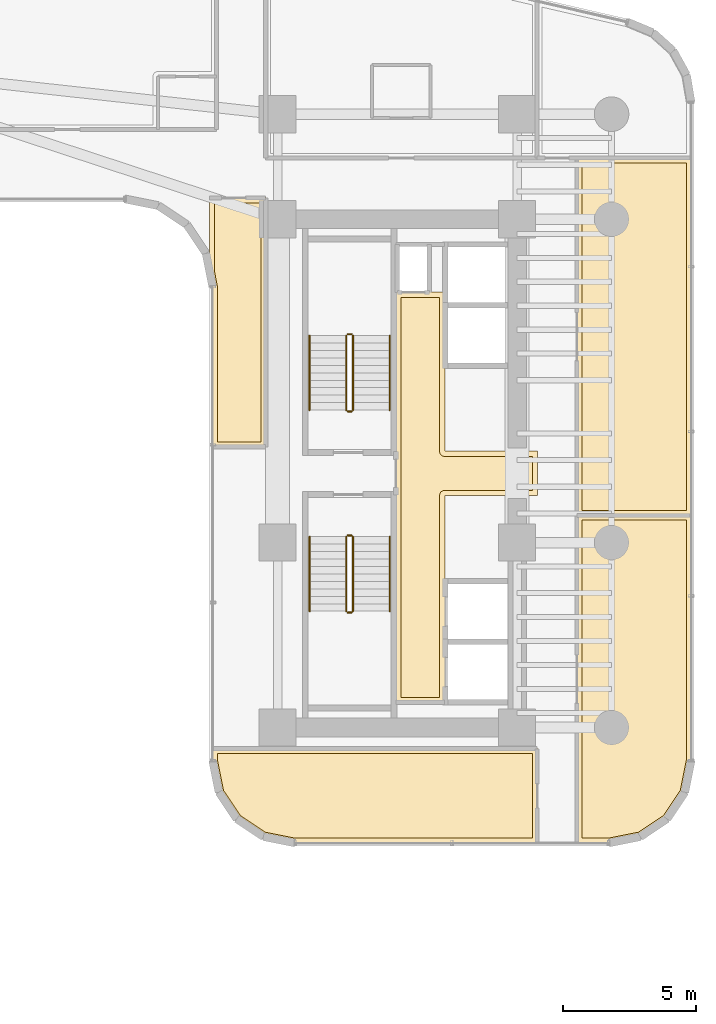
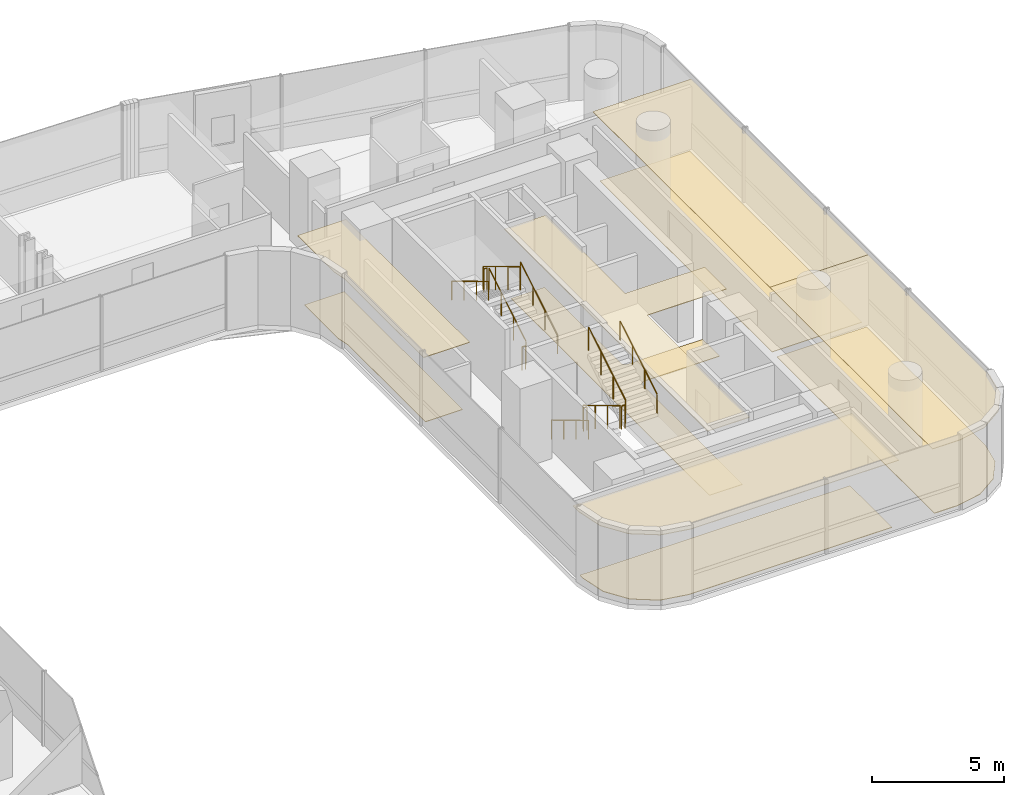
# One storey, part 38 of 40: 12 railings, 10 coverings.
"""IFC4 building model written with IfcOpenShell, lengths in metres."""

import ifcopenshell
import ifcopenshell.guid

model = None  # the IFC model being written
_history = None  # IfcOwnerHistory: only IFC2X3 demands one
_inside = {}  # id of a spatial element -> (the spatial element, [elements in it])
_under = {}  # id of a project, library or spatial element -> (it, [spatial elements below it])
_declared = {}  # id of a project -> (the project, [libraries it declares])
_typed = {}  # id of a type object -> (the type object, [elements of that type])
_made_of = {}  # id of a material, layer set ... -> (it, [elements and type objects made of it])


def new_model(schema):
    """Start an empty IFC model of exactly this schema.

    Asked for "IFC4X3", IfcOpenShell would pick the latest addendum, in which some entities
    have other attributes; the version numbers below select the first issue.
    IFC2X3 requires an IfcOwnerHistory on every rooted entity: one is made here for all.
    """
    global model, _history
    if schema == "IFC4X3":
        model = ifcopenshell.file(schema_version=(4, 3, 0, 0))
    else:
        model = ifcopenshell.file(schema=schema)
    _inside.clear()
    _under.clear()
    _declared.clear()
    _typed.clear()
    _made_of.clear()
    _history = None
    if model.schema == "IFC2X3":
        org = make("IfcOrganization", Name="unknown")
        user = make(
            "IfcPersonAndOrganization",
            ThePerson=make("IfcPerson", FamilyName="unknown"),
            TheOrganization=org,
        )
        app = make(
            "IfcApplication",
            ApplicationDeveloper=org,
            Version="unknown",
            ApplicationFullName="unknown",
            ApplicationIdentifier="unknown",
        )
        _history = make(
            "IfcOwnerHistory",
            OwningUser=user,
            OwningApplication=app,
            ChangeAction="ADDED",
            CreationDate=0,
        )
    return model


def make(cls, **values):
    """One entity of the class cls with the attributes given. An attribute that is None is left unset."""
    return model.create_entity(
        cls, **{name: value for name, value in values.items() if value is not None}
    )


def rooted(cls, **values):
    """An entity with a GlobalId (a new one), such as an element, a storey or a relation."""
    return make(cls, GlobalId=ifcopenshell.guid.new(), OwnerHistory=_history, **values)


def si_unit(unit_type, name, prefix=None):
    """IfcSIUnit, for example si_unit("LENGTHUNIT", "METRE", prefix="MILLI")."""
    return make("IfcSIUnit", UnitType=unit_type, Prefix=prefix, Name=name)


def assignment(units):
    """IfcUnitAssignment: the units of a project."""
    return None if units is None else make("IfcUnitAssignment", Units=units)


def point(xyz):
    """IfcCartesianPoint."""
    return None if xyz is None else make("IfcCartesianPoint", Coordinates=xyz)


def direction(xyz):
    """IfcDirection."""
    return None if xyz is None else make("IfcDirection", DirectionRatios=xyz)


def frame(location, z_axis=None, x_axis=None):
    """IfcAxis2Placement3D, a coordinate frame: its origin and axes. An axis left out is left unset."""
    return make(
        "IfcAxis2Placement3D",
        Location=point(location),
        Axis=direction(z_axis),
        RefDirection=direction(x_axis),
    )


def frame_2d(location, x_axis=None):
    """IfcAxis2Placement2D, a coordinate frame in the plane: its origin and x axis."""
    return make(
        "IfcAxis2Placement2D", Location=point(location), RefDirection=direction(x_axis)
    )


def origin():
    """The frame at (0, 0, 0) with its axes left unset."""
    return frame((0.0, 0.0, 0.0))


def origin_2d():
    """The frame at (0, 0) in the plane with its x axis left unset."""
    return frame_2d((0.0, 0.0))


def place(relative_to, where):
    """IfcLocalPlacement: puts the frame where relative to a parent placement (None: the world)."""
    return make(
        "IfcLocalPlacement", PlacementRelTo=relative_to, RelativePlacement=where
    )


def context(
    kind, dimensions, precision=None, world=None, true_north=None, identifier=None
):
    """IfcGeometricRepresentationContext, for example the 3D "Model" context."""
    return make(
        "IfcGeometricRepresentationContext",
        ContextIdentifier=identifier,
        ContextType=kind,
        CoordinateSpaceDimension=dimensions,
        Precision=precision,
        WorldCoordinateSystem=world,
        TrueNorth=true_north,
    )


def subcontext(parent, identifier, kind, view, scale=None):
    """IfcGeometricRepresentationSubContext, for example "Body" below "Model"."""
    return make(
        "IfcGeometricRepresentationSubContext",
        ContextIdentifier=identifier,
        ContextType=kind,
        ParentContext=parent,
        TargetScale=scale,
        TargetView=view,
    )


def project(units=None, contexts=None):
    """IfcProject with its units and contexts."""
    return rooted(
        "IfcProject",
        Name="project",
        RepresentationContexts=contexts,
        UnitsInContext=assignment(units),
    )


def spatial(cls, under=None, at=None, **own):
    """A site, building, storey or space (cls), placed at a placement, below another one or the project."""
    s = rooted(cls, ObjectPlacement=at, **own)
    if under is not None:
        _under.setdefault(under.id(), (under, []))[1].append(s)
    return s


def polyline(points):
    """IfcPolyline through the points."""
    return make("IfcPolyline", Points=[point(p) for p in points])


def profile(cls, at=None, kind="AREA", **sizes):
    """A parametric profile (cls). Its sizes go by their IFC names, for example OverallWidth=200.0."""
    return make(cls, ProfileType=kind, Position=at, **sizes)


def circle(**sizes):
    """IfcCircleProfileDef."""
    return profile("IfcCircleProfileDef", **sizes)


def outline(outer, holes=None, kind="AREA"):
    """IfcArbitraryClosedProfileDef: a profile drawn as a closed curve; with holes, ...WithVoids."""
    if holes is None:
        return make("IfcArbitraryClosedProfileDef", ProfileType=kind, OuterCurve=outer)
    return make(
        "IfcArbitraryProfileDefWithVoids",
        ProfileType=kind,
        OuterCurve=outer,
        InnerCurves=holes,
    )


def extrude(swept, where, along, depth):
    """IfcExtrudedAreaSolid: the profile swept, set in the frame where, extruded along a direction by depth."""
    return make(
        "IfcExtrudedAreaSolid",
        SweptArea=swept,
        Position=where,
        ExtrudedDirection=direction(along),
        Depth=depth,
    )


def shape(context_of_items, identifier, shape_type, items):
    """IfcShapeRepresentation: the items that make up one representation, for example the "Body"."""
    return make(
        "IfcShapeRepresentation",
        ContextOfItems=context_of_items,
        RepresentationIdentifier=identifier,
        RepresentationType=shape_type,
        Items=items,
    )


def material(Name=None, Category=None):
    """IfcMaterial."""
    return make("IfcMaterial", Name=Name, Category=Category)


def layer(
    of_material, thickness, ventilated=None, Name=None, Category=None, Priority=None
):
    """IfcMaterialLayer: one layer of a wall or slab, of a material (None: an air gap)."""
    return make(
        "IfcMaterialLayer",
        Material=of_material,
        LayerThickness=thickness,
        IsVentilated=ventilated,
        Name=Name,
        Category=Category,
        Priority=Priority,
    )


def layer_set(layers, Name=None):
    """IfcMaterialLayerSet."""
    return make("IfcMaterialLayerSet", MaterialLayers=layers, LayerSetName=Name)


def made_of(thing, what):
    """Note that an element or type object is made of a material, layer set ...; save() writes the relation."""
    if what is not None:
        _made_of.setdefault(what.id(), (what, []))[1].append(thing)
    return thing


def type_object(cls, material=None, **own):
    """A type object (cls), such as IfcWallType, which elements share."""
    return made_of(rooted(cls, **own), material)


def element(
    cls,
    number,
    at=None,
    inside=None,
    cuts=None,
    type_object=None,
    material=None,
    context=None,
    identifier="Body",
    shape_type=None,
    held_by="IfcProductDefinitionShape",
    body=None,
    shapes=None,
    **own,
):
    """One element of the class cls, such as IfcWall. Its Tag is "e" and its number.

    at: its placement. inside: the storey or other place that contains it. cuts: it is an
    opening in that element (IfcRelVoidsElement). A single representation is given by context,
    identifier, shape_type and body (its items); several are given by shapes. held_by: the class
    of the entity that holds the representations. save() writes the other relations.
    """
    e = rooted(cls, Tag="e%d" % number, ObjectPlacement=at, **own)
    if body is not None:
        shapes = [shape(context, identifier, shape_type, body)]
    if shapes is not None:
        e.Representation = make(held_by, Representations=shapes)
    if inside is not None:
        _inside.setdefault(inside.id(), (inside, []))[1].append(e)
    if cuts is not None:
        rooted(
            "IfcRelVoidsElement", RelatingBuildingElement=cuts, RelatedOpeningElement=e
        )
    if type_object is not None:
        _typed.setdefault(type_object.id(), (type_object, []))[1].append(e)
    return made_of(e, material)


def aggregate(whole, parts):
    """IfcRelAggregates: a whole, such as a stair, and the parts it consists of."""
    return rooted("IfcRelAggregates", RelatingObject=whole, RelatedObjects=parts)


def save(model, path):
    """Write the relations noted so far, then the file.

    IfcRelAggregates (storeys below a building ...), IfcRelContainedInSpatialStructure (elements
    in a storey), IfcRelDefinesByType, IfcRelAssociatesMaterial and IfcRelDeclares: one each for
    every whole, place, type object, material and project.
    """
    for whole, parts in _under.values():
        aggregate(whole, parts)
    for where, things in _inside.values():
        rooted(
            "IfcRelContainedInSpatialStructure",
            RelatedElements=things,
            RelatingStructure=where,
        )
    for kind, things in _typed.values():
        rooted("IfcRelDefinesByType", RelatedObjects=things, RelatingType=kind)
    for what, things in _made_of.values():
        rooted("IfcRelAssociatesMaterial", RelatedObjects=things, RelatingMaterial=what)
    for by, libraries in _declared.values():
        rooted("IfcRelDeclares", RelatingContext=by, RelatedDefinitions=libraries)
    model.write(path)


model = new_model("IFC4")

# Units and contexts
model_context = context("Model", 3, precision=1e-05, world=origin(), true_north=direction((0.0, 1.0)))
body_context = subcontext(model_context, "Body", "Model", "MODEL_VIEW")
ifc_project = project(units=[si_unit("LENGTHUNIT", "METRE"), si_unit("AREAUNIT", "SQUARE_METRE"), si_unit("VOLUMEUNIT", "CUBIC_METRE"), si_unit("PLANEANGLEUNIT", "RADIAN"), si_unit("MASSUNIT", "GRAM", prefix="KILO")], contexts=[model_context])

# Site, building, storey
site_placement = place(None, origin())
site = spatial("IfcSite", under=ifc_project, at=site_placement, CompositionType="ELEMENT")
building_placement = place(site_placement, origin())
building = spatial("IfcBuilding", under=site, at=building_placement, Name="Valdorenza Pilgrim Sanctuary Tower", CompositionType="ELEMENT")
storey_placement = place(building_placement, frame((0.0, 0.0, 92.60009765625)))
storey = spatial("IfcBuildingStorey", under=building, at=storey_placement, Name="L23", CompositionType="ELEMENT", Elevation=92.60009765625)

# Coverings
ifc_material_1 = material(Name="Micro-perforated acoustic mineral ceiling tile", Category="gypsum")
ifc_layer_1 = layer(ifc_material_1, 0.02490234375, Name="Micro-perforated acoustic mineral ceiling tile")
ifc_layer_set_1 = layer_set([ifc_layer_1], Name="Micro-perforated acoustic mineral ceiling tile")
covering_type_1 = type_object("IfcCoveringType", Name="COV-CLG-ACU", PredefinedType="CEILING", material=ifc_layer_set_1)
covering_1_placement = place(storey_placement, frame((0.0, 0.0, 3.159912109375)))
element("IfcCovering", 1, at=covering_1_placement, inside=storey, type_object=covering_type_1, Name="L23 Core B Passenger Lift Lobby Acoustic Ceiling", PredefinedType="CEILING", context=body_context, shape_type="SweptSolid", body=[
    extrude(outline(polyline([(20.287109375, -0.814697265625), (20.287109375, 0.814697265625), (20.28662109375, 0.815185546875), (20.2861328125, 0.81640625), (20.28564453125, 0.81787109375), (20.285400390625, 0.819091796875), (20.28515625, 0.820556640625), (20.284912109375, 0.822021484375), (20.284912109375, 6.800048828125), (20.28515625, 6.801513671875), (20.285400390625, 6.802978515625), (20.28564453125, 6.804443359375), (20.2861328125, 6.8056640625), (20.286865234375, 6.80712890625), (20.28759765625, 6.808349609375), (20.288330078125, 6.8095703125), (20.289306640625, 6.810546875), (20.29052734375, 6.8115234375), (20.291748046875, 6.8125), (20.29296875, 6.813232421875), (20.294189453125, 6.81396484375), (20.295654296875, 6.814453125), (20.297119140625, 6.814697265625), (20.298583984375, 6.81494140625), (20.300048828125, 6.81494140625), (20.347900390625, 6.81494140625), (20.349365234375, 6.81494140625), (20.350830078125, 6.814697265625), (20.352294921875, 6.814453125), (20.353515625, 6.81396484375), (20.35498046875, 6.813232421875), (20.35546875, 6.81298828125), (21.544677734375, 6.81298828125), (21.545166015625, 6.813232421875), (21.54638671875, 6.81396484375), (21.5478515625, 6.814453125), (21.54931640625, 6.814697265625), (21.550537109375, 6.81494140625), (21.552001953125, 6.81494140625), (22.1201171875, 6.81494140625), (22.12158203125, 6.81494140625), (22.122802734375, 6.814697265625), (22.12451171875, 6.814453125), (22.125732421875, 6.81396484375), (22.127197265625, 6.813232421875), (22.12841796875, 6.8125), (22.12939453125, 6.8115234375), (22.130615234375, 6.810546875), (22.131591796875, 6.8095703125), (22.132568359375, 6.808349609375), (22.13330078125, 6.80712890625), (22.1337890625, 6.8056640625), (22.134521484375, 6.804443359375), (22.134765625, 6.802978515625), (22.135009765625, 6.801513671875), (22.135009765625, 6.800048828125), (22.135009765625, 0.8349609375), (25.60009765625, 0.8349609375), (25.6015625, 0.8349609375), (25.602783203125, 0.834716796875), (25.6044921875, 0.83447265625), (25.605712890625, 0.833984375), (25.607177734375, 0.833251953125), (25.6083984375, 0.83251953125), (25.609619140625, 0.83154296875), (25.610595703125, 0.83056640625), (25.611572265625, 0.82958984375), (25.612548828125, 0.828369140625), (25.61328125, 0.8271484375), (25.614013671875, 0.82568359375), (25.614501953125, 0.824462890625), (25.61474609375, 0.822998046875), (25.614990234375, 0.821533203125), (25.614990234375, 0.820068359375), (25.614990234375, -0.820068359375), (25.614990234375, -0.821533203125), (25.61474609375, -0.822998046875), (25.614501953125, -0.824462890625), (25.614013671875, -0.82568359375), (25.61328125, -0.8271484375), (25.612548828125, -0.828369140625), (25.611572265625, -0.82958984375), (25.610595703125, -0.83056640625), (25.609619140625, -0.83154296875), (25.6083984375, -0.83251953125), (25.607177734375, -0.833251953125), (25.605712890625, -0.833984375), (25.6044921875, -0.83447265625), (25.602783203125, -0.834716796875), (25.6015625, -0.8349609375), (25.60009765625, -0.8349609375), (22.135009765625, -0.8349609375), (22.135009765625, -8.60009765625), (22.135009765625, -8.6015625), (22.134765625, -8.602783203125), (22.134521484375, -8.6044921875), (22.1337890625, -8.605712890625), (22.13330078125, -8.607177734375), (22.132568359375, -8.6083984375), (22.131591796875, -8.609619140625), (22.130615234375, -8.610595703125), (22.12939453125, -8.611572265625), (22.12841796875, -8.612548828125), (22.127197265625, -8.61328125), (22.125732421875, -8.614013671875), (22.12451171875, -8.614501953125), (22.122802734375, -8.61474609375), (22.12158203125, -8.614990234375), (22.1201171875, -8.614990234375), (20.300048828125, -8.614990234375), (20.298583984375, -8.614990234375), (20.297119140625, -8.61474609375), (20.295654296875, -8.614501953125), (20.294189453125, -8.614013671875), (20.29296875, -8.61328125), (20.291748046875, -8.612548828125), (20.29052734375, -8.611572265625), (20.289306640625, -8.610595703125), (20.288330078125, -8.609619140625), (20.28759765625, -8.6083984375), (20.286865234375, -8.607177734375), (20.2861328125, -8.605712890625), (20.28564453125, -8.6044921875), (20.285400390625, -8.602783203125), (20.28515625, -8.6015625), (20.284912109375, -8.60009765625), (20.284912109375, -0.822021484375), (20.28515625, -0.820556640625), (20.285400390625, -0.819091796875), (20.28564453125, -0.81787109375), (20.2861328125, -0.81640625), (20.28662109375, -0.815185546875), (20.287109375, -0.814697265625)])), origin(), (0.0, 0.0, 1.0), 0.02490234375),
])
covering_2_placement = place(storey_placement, frame((0.0, 0.0, 3.159912109375)))
element("IfcCovering", 2, at=covering_2_placement, inside=storey, type_object=covering_type_1, Name="L23 Theological Reference Library L23-BS Acoustic Ceiling", PredefinedType="CEILING", context=body_context, shape_type="SweptSolid", body=[
    extrude(outline(polyline([(25.614990234375, -13.889892578125), (25.614990234375, -13.8916015625), (25.61474609375, -13.892822265625), (25.614501953125, -13.894287109375), (25.614013671875, -13.895751953125), (25.61328125, -13.897216796875), (25.612548828125, -13.898193359375), (25.611572265625, -13.8994140625), (25.610595703125, -13.900634765625), (25.609619140625, -13.901611328125), (25.6083984375, -13.902587890625), (25.607177734375, -13.9033203125), (25.605712890625, -13.90380859375), (25.6044921875, -13.904296875), (25.602783203125, -13.90478515625), (25.6015625, -13.90478515625), (25.60009765625, -13.905029296875), (16.5107421875, -13.905029296875), (16.509521484375, -13.90478515625), (16.5078125, -13.90478515625), (15.3154296875, -13.66748046875), (15.31396484375, -13.6669921875), (15.3125, -13.66650390625), (15.311279296875, -13.666015625), (15.31005859375, -13.665283203125), (14.308349609375, -12.995849609375), (14.30712890625, -12.9951171875), (14.305908203125, -12.993896484375), (14.304931640625, -12.992919921875), (14.30419921875, -12.99169921875), (13.634765625, -11.989990234375), (13.634033203125, -11.98876953125), (13.63330078125, -11.9873046875), (13.6328125, -11.986083984375), (13.632568359375, -11.984619140625), (13.395263671875, -10.7919921875), (13.39501953125, -10.79052734375), (13.39501953125, -10.789306640625), (13.39501953125, -10.35009765625), (13.39501953125, -10.348388671875), (13.395263671875, -10.34716796875), (13.3955078125, -10.345703125), (13.39599609375, -10.34423828125), (13.396728515625, -10.343017578125), (13.3974609375, -10.341796875), (13.3984375, -10.340576171875), (13.3994140625, -10.33935546875), (13.400390625, -10.33837890625), (13.401611328125, -10.33740234375), (13.40283203125, -10.3369140625), (13.404296875, -10.336181640625), (13.405517578125, -10.335693359375), (13.406982421875, -10.335205078125), (13.408447265625, -10.335205078125), (13.409912109375, -10.3349609375), (25.60009765625, -10.3349609375), (25.6015625, -10.335205078125), (25.602783203125, -10.335205078125), (25.6044921875, -10.335693359375), (25.605712890625, -10.336181640625), (25.607177734375, -10.3369140625), (25.6083984375, -10.33740234375), (25.609619140625, -10.33837890625), (25.610595703125, -10.33935546875), (25.611572265625, -10.340576171875), (25.612548828125, -10.341796875), (25.61328125, -10.343017578125), (25.614013671875, -10.34423828125), (25.614501953125, -10.345703125), (25.61474609375, -10.34716796875), (25.614990234375, -10.348388671875), (25.614990234375, -10.35009765625), (25.614990234375, -13.889892578125)])), origin(), (0.0, 0.0, 1.0), 0.02490234375),
])
covering_3_placement = place(storey_placement, frame((0.0, 0.0, 3.159912109375)))
element("IfcCovering", 3, at=covering_3_placement, inside=storey, type_object=covering_type_1, Name="L23 Theological Seminar Classroom L23-EB1 Acoustic Ceiling", PredefinedType="CEILING", context=body_context, shape_type="SweptSolid", body=[
    extrude(outline(polyline([(31.389892578125, -1.56005859375), (31.3916015625, -1.56005859375), (31.392822265625, -1.560302734375), (31.394287109375, -1.560546875), (31.395751953125, -1.56103515625), (31.397216796875, -1.561767578125), (31.398193359375, -1.5625), (31.3994140625, -1.5634765625), (31.400634765625, -1.564453125), (31.401611328125, -1.5654296875), (31.402587890625, -1.566650390625), (31.4033203125, -1.56787109375), (31.40380859375, -1.5693359375), (31.404296875, -1.570556640625), (31.40478515625, -1.572021484375), (31.40478515625, -1.573486328125), (31.405029296875, -1.574951171875), (31.405029296875, -10.789306640625), (31.40478515625, -10.79052734375), (31.40478515625, -10.7919921875), (31.16748046875, -11.984619140625), (31.1669921875, -11.986083984375), (31.16650390625, -11.9873046875), (31.166015625, -11.98876953125), (31.165283203125, -11.989990234375), (30.495849609375, -12.99169921875), (30.4951171875, -12.992919921875), (30.493896484375, -12.993896484375), (30.492919921875, -12.9951171875), (30.49169921875, -12.995849609375), (29.489990234375, -13.665283203125), (29.48876953125, -13.666015625), (29.4873046875, -13.66650390625), (29.486083984375, -13.6669921875), (29.484619140625, -13.66748046875), (28.2919921875, -13.90478515625), (28.29052734375, -13.90478515625), (28.289306640625, -13.905029296875), (27.10009765625, -13.905029296875), (27.098388671875, -13.90478515625), (27.09716796875, -13.90478515625), (27.095703125, -13.904296875), (27.09423828125, -13.90380859375), (27.093017578125, -13.9033203125), (27.091796875, -13.902587890625), (27.090576171875, -13.901611328125), (27.08935546875, -13.900634765625), (27.08837890625, -13.8994140625), (27.08740234375, -13.898193359375), (27.0869140625, -13.897216796875), (27.086181640625, -13.895751953125), (27.085693359375, -13.894287109375), (27.085205078125, -13.892822265625), (27.085205078125, -13.8916015625), (27.0849609375, -13.889892578125), (27.0849609375, -1.574951171875), (27.085205078125, -1.573486328125), (27.085205078125, -1.572021484375), (27.085693359375, -1.570556640625), (27.086181640625, -1.5693359375), (27.0869140625, -1.56787109375), (27.08740234375, -1.566650390625), (27.08837890625, -1.5654296875), (27.08935546875, -1.564453125), (27.090576171875, -1.5634765625), (27.091796875, -1.5625), (27.093017578125, -1.561767578125), (27.09423828125, -1.56103515625), (27.095703125, -1.560546875), (27.09716796875, -1.560302734375), (27.098388671875, -1.56005859375), (27.10009765625, -1.56005859375), (31.389892578125, -1.56005859375)])), origin(), (0.0, 0.0, 1.0), 0.02490234375),
])
covering_4_placement = place(storey_placement, frame((0.0, 0.0, 3.159912109375)))
element("IfcCovering", 4, at=covering_4_placement, inside=storey, type_object=covering_type_1, Name="L23 Theological Seminar Classroom L23-EB2 Acoustic Ceiling", PredefinedType="CEILING", context=body_context, shape_type="SweptSolid", body=[
    extrude(outline(polyline([(27.0849609375, 11.847900390625), (27.085205078125, 11.849609375), (27.085205078125, 11.850830078125), (27.085693359375, 11.852294921875), (27.086181640625, 11.853759765625), (27.0869140625, 11.85498046875), (27.08740234375, 11.856201171875), (27.08837890625, 11.857421875), (27.08935546875, 11.858642578125), (27.090576171875, 11.859619140625), (27.091796875, 11.860595703125), (27.093017578125, 11.861083984375), (27.09423828125, 11.86181640625), (27.095703125, 11.8623046875), (27.09716796875, 11.86279296875), (27.098388671875, 11.86279296875), (27.10009765625, 11.863037109375), (31.389892578125, 11.863037109375), (31.3916015625, 11.86279296875), (31.392822265625, 11.86279296875), (31.394287109375, 11.8623046875), (31.395751953125, 11.86181640625), (31.397216796875, 11.861083984375), (31.398193359375, 11.860595703125), (31.3994140625, 11.859619140625), (31.400634765625, 11.858642578125), (31.401611328125, 11.857421875), (31.402587890625, 11.856201171875), (31.4033203125, 11.85498046875), (31.40380859375, 11.853759765625), (31.404296875, 11.852294921875), (31.40478515625, 11.850830078125), (31.40478515625, 11.849609375), (31.405029296875, 11.847900390625), (31.405029296875, -1.572998046875), (31.40478515625, -1.574462890625), (31.40478515625, -1.575927734375), (31.404296875, -1.577392578125), (31.40380859375, -1.57861328125), (31.4033203125, -1.580078125), (31.402587890625, -1.581298828125), (31.401611328125, -1.58251953125), (31.400634765625, -1.58349609375), (31.3994140625, -1.584716796875), (31.398193359375, -1.58544921875), (31.397216796875, -1.586181640625), (31.395751953125, -1.5869140625), (31.394287109375, -1.58740234375), (31.392822265625, -1.587646484375), (31.3916015625, -1.587890625), (31.389892578125, -1.587890625), (27.10009765625, -1.587890625), (27.098388671875, -1.587890625), (27.09716796875, -1.587646484375), (27.095703125, -1.58740234375), (27.09423828125, -1.5869140625), (27.093017578125, -1.586181640625), (27.091796875, -1.58544921875), (27.090576171875, -1.584716796875), (27.08935546875, -1.58349609375), (27.08837890625, -1.58251953125), (27.08740234375, -1.581298828125), (27.0869140625, -1.580078125), (27.086181640625, -1.57861328125), (27.085693359375, -1.577392578125), (27.085205078125, -1.575927734375), (27.085205078125, -1.574462890625), (27.0849609375, -1.572998046875), (27.0849609375, 11.847900390625)])), origin(), (0.0, 0.0, 1.0), 0.02490234375),
])
covering_5_placement = place(storey_placement, frame((0.0, 0.0, 3.159912109375)))
element("IfcCovering", 5, at=covering_5_placement, inside=storey, type_object=covering_type_1, Name="L23 Courtyard Overlook Salon L23 Acoustic Ceiling", PredefinedType="CEILING", context=body_context, shape_type="SweptSolid", body=[
    extrude(outline(polyline([(15.39990234375, 10.364990234375), (15.401611328125, 10.364990234375), (15.40283203125, 10.36474609375), (15.404296875, 10.364501953125), (15.40576171875, 10.364013671875), (15.406982421875, 10.36328125), (15.408203125, 10.362548828125), (15.409423828125, 10.361572265625), (15.41064453125, 10.360595703125), (15.41162109375, 10.359619140625), (15.41259765625, 10.3583984375), (15.4130859375, 10.357177734375), (15.413818359375, 10.355712890625), (15.414306640625, 10.3544921875), (15.414794921875, 10.352783203125), (15.414794921875, 10.3515625), (15.4150390625, 10.35009765625), (15.4150390625, 1.0), (15.414794921875, 0.99853515625), (15.414794921875, 0.9970703125), (15.414306640625, 0.99560546875), (15.413818359375, 0.994384765625), (15.4130859375, 0.992919921875), (15.41259765625, 0.99169921875), (15.41162109375, 0.990478515625), (15.41064453125, 0.989501953125), (15.409423828125, 0.98828125), (15.408203125, 0.987548828125), (15.406982421875, 0.98681640625), (15.40576171875, 0.986083984375), (15.404296875, 0.985595703125), (15.40283203125, 0.9853515625), (15.401611328125, 0.985107421875), (15.39990234375, 0.985107421875), (13.409912109375, 0.985107421875), (13.408447265625, 0.985107421875), (13.406982421875, 0.9853515625), (13.405517578125, 0.985595703125), (13.404296875, 0.986083984375), (13.40283203125, 0.98681640625), (13.401611328125, 0.987548828125), (13.400390625, 0.98828125), (13.3994140625, 0.989501953125), (13.3984375, 0.990478515625), (13.3974609375, 0.99169921875), (13.396728515625, 0.992919921875), (13.39599609375, 0.994384765625), (13.3955078125, 0.99560546875), (13.395263671875, 0.9970703125), (13.39501953125, 0.99853515625), (13.39501953125, 1.0), (13.39501953125, 6.99951171875), (13.39453125, 7.00927734375), (13.39306640625, 7.018798828125), (13.285400390625, 7.560791015625), (13.28515625, 7.562255859375), (13.284912109375, 7.563720703125), (13.284912109375, 10.35009765625), (13.28515625, 10.3515625), (13.285400390625, 10.352783203125), (13.28564453125, 10.3544921875), (13.2861328125, 10.355712890625), (13.286865234375, 10.357177734375), (13.28759765625, 10.3583984375), (13.288330078125, 10.359619140625), (13.289306640625, 10.360595703125), (13.29052734375, 10.361572265625), (13.291748046875, 10.362548828125), (13.29296875, 10.36328125), (13.294189453125, 10.364013671875), (13.295654296875, 10.364501953125), (13.297119140625, 10.36474609375), (13.298583984375, 10.364990234375), (13.300048828125, 10.364990234375), (15.39990234375, 10.364990234375)])), origin(), (0.0, 0.0, 1.0), 0.02490234375),
])
ifc_material_2 = material(Name="Engineered European oak timber flooring", Category="wood")
ifc_layer_2 = layer(ifc_material_2, 0.02197265625, Name="Engineered European oak timber flooring")
ifc_layer_set_2 = layer_set([ifc_layer_2], Name="Engineered European oak timber flooring")
covering_type_2 = type_object("IfcCoveringType", Name="COV-FLR-OAK", PredefinedType="FLOORING", material=ifc_layer_set_2)
covering_6_placement = place(storey_placement, origin())
element("IfcCovering", 6, at=covering_6_placement, inside=storey, type_object=covering_type_2, Name="L23 Theological Seminar Classroom L23-EB1 Flooring", PredefinedType="FLOORING", context=body_context, shape_type="SweptSolid", body=[
    extrude(outline(polyline([(31.2099609375, -1.7548828125), (31.2099609375, -10.771484375), (30.983154296875, -11.911376953125), (30.353515625, -12.853515625), (29.411376953125, -13.483154296875), (28.271484375, -13.7099609375), (27.280029296875, -13.7099609375), (27.280029296875, -1.7548828125), (31.2099609375, -1.7548828125)])), origin(), (0.0, 0.0, 1.0), 0.02490234375),
])
covering_7_placement = place(storey_placement, origin())
element("IfcCovering", 7, at=covering_7_placement, inside=storey, type_object=covering_type_2, Name="L23 Theological Seminar Classroom L23-EB2 Flooring", PredefinedType="FLOORING", context=body_context, shape_type="SweptSolid", body=[
    extrude(outline(polyline([(27.280029296875, 11.66796875), (31.2099609375, 11.66796875), (31.2099609375, -1.39306640625), (27.280029296875, -1.39306640625), (27.280029296875, 11.66796875)])), origin(), (0.0, 0.0, 1.0), 0.02490234375),
])
ifc_material_3 = material(Name="Honed travertine stone flooring", Category="masonry")
ifc_layer_3 = layer(ifc_material_3, 0.030029296875, Name="Honed travertine stone flooring")
ifc_layer_set_3 = layer_set([ifc_layer_3], Name="Honed travertine stone flooring")
covering_type_3 = type_object("IfcCoveringType", Name="COV-FLR-TRV", PredefinedType="FLOORING", material=ifc_layer_set_3)
covering_8_placement = place(storey_placement, origin())
element("IfcCovering", 8, at=covering_8_placement, inside=storey, type_object=covering_type_3, Name="L23 Core B Passenger Lift Lobby Flooring", PredefinedType="FLOORING", context=body_context, shape_type="SweptSolid", body=[
    extrude(outline(polyline([(20.47998046875, 6.617919921875), (21.550048828125, 6.617919921875), (21.550537109375, 6.617919921875), (21.93994140625, 6.619384765625), (21.93994140625, 0.820068359375), (21.94091796875, 0.802490234375), (21.943603515625, 0.784912109375), (21.94775390625, 0.767578125), (21.95361328125, 0.751220703125), (21.961181640625, 0.735107421875), (21.97021484375, 0.719970703125), (21.98095703125, 0.705810546875), (21.99267578125, 0.692626953125), (22.005859375, 0.680908203125), (22.02001953125, 0.67041015625), (22.03515625, 0.661376953125), (22.051025390625, 0.65380859375), (22.067626953125, 0.647705078125), (22.0849609375, 0.6435546875), (22.102294921875, 0.640869140625), (22.1201171875, 0.639892578125), (25.419921875, 0.639892578125), (25.419921875, -0.639892578125), (22.1201171875, -0.639892578125), (22.102294921875, -0.640869140625), (22.0849609375, -0.6435546875), (22.067626953125, -0.647705078125), (22.051025390625, -0.65380859375), (22.03515625, -0.661376953125), (22.02001953125, -0.67041015625), (22.005859375, -0.680908203125), (21.99267578125, -0.692626953125), (21.98095703125, -0.705810546875), (21.97021484375, -0.719970703125), (21.961181640625, -0.735107421875), (21.95361328125, -0.751220703125), (21.94775390625, -0.767578125), (21.943603515625, -0.784912109375), (21.94091796875, -0.802490234375), (21.93994140625, -0.820068359375), (21.93994140625, -8.419921875), (20.47998046875, -8.419921875), (20.47998046875, -0.846923828125), (20.47998046875, -0.8466796875), (20.47998046875, -0.8466796875), (20.481689453125, -0.8291015625), (20.481689453125, -0.828857421875), (20.48193359375, -0.820068359375), (20.48193359375, 0.820068359375), (20.47998046875, 6.617919921875)])), origin(), (0.0, 0.0, 1.0), 0.02490234375),
])
covering_9_placement = place(storey_placement, origin())
element("IfcCovering", 9, at=covering_9_placement, inside=storey, type_object=covering_type_3, Name="L23 Theological Reference Library L23-BS Flooring", PredefinedType="FLOORING", context=body_context, shape_type="SweptSolid", body=[
    extrude(outline(polyline([(25.419921875, -13.7099609375), (16.528564453125, -13.7099609375), (15.388671875, -13.483154296875), (14.4462890625, -12.853515625), (13.81689453125, -11.911376953125), (13.590087890625, -10.771484375), (13.590087890625, -10.530029296875), (25.419921875, -10.530029296875), (25.419921875, -13.7099609375)])), origin(), (0.0, 0.0, 1.0), 0.02490234375),
])
covering_10_placement = place(storey_placement, origin())
element("IfcCovering", 10, at=covering_10_placement, inside=storey, type_object=covering_type_3, Name="L23 Courtyard Overlook Salon L23 Flooring", PredefinedType="FLOORING", context=body_context, shape_type="SweptSolid", body=[
    extrude(outline(polyline([(15.219970703125, 10.169921875), (15.219970703125, 1.179931640625), (13.590087890625, 1.179931640625), (13.590087890625, 7.0), (13.58984375, 7.0087890625), (13.58935546875, 7.01953125), (13.58740234375, 7.037109375), (13.5859375, 7.0478515625), (13.58447265625, 7.056640625), (13.47998046875, 7.58154296875), (13.47998046875, 10.169921875), (15.219970703125, 10.169921875)])), origin(), (0.0, 0.0, 1.0), 0.02490234375),
])

# Railings
ifc_material_4 = material(Name="Stainless steel Grade 316", Category="steel")
railing_type_1 = type_object("IfcRailingType", Name="RLG-GRD-1120", PredefinedType="GUARDRAIL", material=ifc_material_4)
railing_1_placement = place(storey_placement, frame((18.679931640625, 2.3798828125, 0.16796875)))
element("IfcRailing", 11, at=railing_1_placement, inside=storey, type_object=railing_type_1, Name="L23 ST-B1 stair guard 1", PredefinedType="GUARDRAIL", context=body_context, shape_type="SweptSolid", body=[
    extrude(circle(Radius=0.02392578125, at=origin_2d()), frame((0.0, 0.0, 1.076171875), z_axis=(0.0, 0.857242210791, 0.514913383045), x_axis=(-1.0, 0.0, 0.0)), (0.0, 0.0, 1.0), 3.266357421875),
    extrude(circle(Radius=0.02099609375, at=origin_2d()), origin(), (0.0, 0.0, 1.0), 1.052001953125),
    extrude(circle(Radius=0.02099609375, at=origin_2d()), frame((0.0, 0.933349609375, 0.560546875)), (0.0, 0.0, 1.0), 1.052001953125),
    extrude(circle(Radius=0.02099609375, at=origin_2d()), frame((0.0, 1.86669921875, 1.121337890625)), (0.0, 0.0, 1.0), 1.052001953125),
    extrude(circle(Radius=0.02099609375, at=origin_2d()), frame((0.0, 2.800048828125, 1.681884765625)), (0.0, 0.0, 1.0), 1.052001953125),
])
railing_2_placement = place(storey_placement, frame((18.6298828125, 5.22998046875, 1.849853515625)))
element("IfcRailing", 12, at=railing_2_placement, inside=storey, type_object=railing_type_1, Name="L23 ST-B1 stair guard 2", PredefinedType="GUARDRAIL", context=body_context, shape_type="SweptSolid", body=[
    extrude(circle(Radius=0.02392578125, at=origin_2d()), frame((0.0, 0.0, 1.076171875), z_axis=(-1.0, 0.0, 0.0), x_axis=(0.0, -1.0, 0.0)), (0.0, 0.0, 1.0), 0.14990234375),
    extrude(circle(Radius=0.02099609375, at=origin_2d()), origin(), (0.0, 0.0, 1.0), 1.052001953125),
    extrude(circle(Radius=0.02099609375, at=origin_2d()), frame((-0.14990234375, 0.0, 0.0)), (0.0, 0.0, 1.0), 1.052001953125),
])
railing_3_placement = place(storey_placement, frame((18.429931640625, 5.179931640625, 2.01806640625)))
element("IfcRailing", 13, at=railing_3_placement, inside=storey, type_object=railing_type_1, Name="L23 ST-B1 stair guard 3", PredefinedType="GUARDRAIL", context=body_context, shape_type="SweptSolid", body=[
    extrude(circle(Radius=0.02392578125, at=origin_2d()), frame((0.0, 0.0, 1.076171875), z_axis=(0.0, -0.857242210791, 0.514913383045), x_axis=(1.0, 0.0, 0.0)), (0.0, 0.0, 1.0), 3.266357421875),
    extrude(circle(Radius=0.02099609375, at=origin_2d()), origin(), (0.0, 0.0, 1.0), 1.052001953125),
    extrude(circle(Radius=0.02099609375, at=origin_2d()), frame((0.0, -0.933349609375, 0.560546875)), (0.0, 0.0, 1.0), 1.052001953125),
    extrude(circle(Radius=0.02099609375, at=origin_2d()), frame((0.0, -1.86669921875, 1.121337890625)), (0.0, 0.0, 1.0), 1.052001953125),
    extrude(circle(Radius=0.02099609375, at=origin_2d()), frame((0.0, -2.800048828125, 1.681884765625)), (0.0, 0.0, 1.0), 1.052001953125),
])
railing_4_placement = place(storey_placement, frame((18.6298828125, 2.330078125, 0.0)))
element("IfcRailing", 14, at=railing_4_placement, inside=storey, type_object=railing_type_1, Name="L23 ST-B1 stair guard 4", PredefinedType="GUARDRAIL", context=body_context, shape_type="SweptSolid", body=[
    extrude(circle(Radius=0.02392578125, at=origin_2d()), frame((0.0, 0.0, 1.076171875), z_axis=(-1.0, 0.0, 0.0), x_axis=(0.0, -1.0, 0.0)), (0.0, 0.0, 1.0), 0.14990234375),
    extrude(circle(Radius=0.02099609375, at=origin_2d()), origin(), (0.0, 0.0, 1.0), 1.052001953125),
    extrude(circle(Radius=0.02099609375, at=origin_2d()), frame((-0.14990234375, 0.0, 0.0)), (0.0, 0.0, 1.0), 1.052001953125),
])
railing_5_placement = place(storey_placement, frame((18.429931640625, -2.3798828125, 0.16796875)))
element("IfcRailing", 15, at=railing_5_placement, inside=storey, type_object=railing_type_1, Name="L23 ST-B2 stair guard 1", PredefinedType="GUARDRAIL", context=body_context, shape_type="SweptSolid", body=[
    extrude(circle(Radius=0.02392578125, at=origin_2d()), frame((0.0, 0.0, 1.076171875), z_axis=(0.0, -0.857242210791, 0.514913383045), x_axis=(1.0, 0.0, 0.0)), (0.0, 0.0, 1.0), 3.266357421875),
    extrude(circle(Radius=0.02099609375, at=origin_2d()), origin(), (0.0, 0.0, 1.0), 1.052001953125),
    extrude(circle(Radius=0.02099609375, at=origin_2d()), frame((0.0, -0.933349609375, 0.560546875)), (0.0, 0.0, 1.0), 1.052001953125),
    extrude(circle(Radius=0.02099609375, at=origin_2d()), frame((0.0, -1.86669921875, 1.121337890625)), (0.0, 0.0, 1.0), 1.052001953125),
    extrude(circle(Radius=0.02099609375, at=origin_2d()), frame((0.0, -2.800048828125, 1.681884765625)), (0.0, 0.0, 1.0), 1.052001953125),
])
railing_6_placement = place(storey_placement, frame((18.47998046875, -5.22998046875, 1.849853515625)))
element("IfcRailing", 16, at=railing_6_placement, inside=storey, type_object=railing_type_1, Name="L23 ST-B2 stair guard 2", PredefinedType="GUARDRAIL", context=body_context, shape_type="SweptSolid", body=[
    extrude(circle(Radius=0.02392578125, at=origin_2d()), frame((0.0, 0.0, 1.076171875), z_axis=(1.0, 0.0, 0.0), x_axis=(0.0, 1.0, 0.0)), (0.0, 0.0, 1.0), 0.14990234375),
    extrude(circle(Radius=0.02099609375, at=origin_2d()), origin(), (0.0, 0.0, 1.0), 1.052001953125),
    extrude(circle(Radius=0.02099609375, at=origin_2d()), frame((0.14990234375, 0.0, 0.0)), (0.0, 0.0, 1.0), 1.052001953125),
])
railing_7_placement = place(storey_placement, frame((18.679931640625, -5.179931640625, 2.01806640625)))
element("IfcRailing", 17, at=railing_7_placement, inside=storey, type_object=railing_type_1, Name="L23 ST-B2 stair guard 3", PredefinedType="GUARDRAIL", context=body_context, shape_type="SweptSolid", body=[
    extrude(circle(Radius=0.02392578125, at=origin_2d()), frame((0.0, 0.0, 1.076171875), z_axis=(0.0, 0.857242210791, 0.514913383045), x_axis=(-1.0, 0.0, 0.0)), (0.0, 0.0, 1.0), 3.266357421875),
    extrude(circle(Radius=0.02099609375, at=origin_2d()), origin(), (0.0, 0.0, 1.0), 1.052001953125),
    extrude(circle(Radius=0.02099609375, at=origin_2d()), frame((0.0, 0.933349609375, 0.560546875)), (0.0, 0.0, 1.0), 1.052001953125),
    extrude(circle(Radius=0.02099609375, at=origin_2d()), frame((0.0, 1.86669921875, 1.121337890625)), (0.0, 0.0, 1.0), 1.052001953125),
    extrude(circle(Radius=0.02099609375, at=origin_2d()), frame((0.0, 2.800048828125, 1.681884765625)), (0.0, 0.0, 1.0), 1.052001953125),
])
railing_8_placement = place(storey_placement, frame((18.47998046875, -2.330078125, 0.0)))
element("IfcRailing", 18, at=railing_8_placement, inside=storey, type_object=railing_type_1, Name="L23 ST-B2 stair guard 4", PredefinedType="GUARDRAIL", context=body_context, shape_type="SweptSolid", body=[
    extrude(circle(Radius=0.02392578125, at=origin_2d()), frame((0.0, 0.0, 1.076171875), z_axis=(1.0, 0.0, 0.0), x_axis=(0.0, 1.0, 0.0)), (0.0, 0.0, 1.0), 0.14990234375),
    extrude(circle(Radius=0.02099609375, at=origin_2d()), origin(), (0.0, 0.0, 1.0), 1.052001953125),
    extrude(circle(Radius=0.02099609375, at=origin_2d()), frame((0.14990234375, 0.0, 0.0)), (0.0, 0.0, 1.0), 1.052001953125),
])
ifc_material_5 = material(Name="Brushed stainless steel Grade 316", Category="steel")
railing_type_2 = type_object("IfcRailingType", Name="RLG-HND-920", PredefinedType="HANDRAIL", material=ifc_material_5)
railing_9_placement = place(storey_placement, frame((20.06005859375, 2.3798828125, 0.16796875)))
element("IfcRailing", 19, at=railing_9_placement, inside=storey, type_object=railing_type_2, Name="L23 ST-B1 stair handrail 1", PredefinedType="HANDRAIL", context=body_context, shape_type="SweptSolid", body=[
    extrude(circle(Radius=0.02392578125, at=origin_2d()), frame((0.0, 0.0, 0.8759765625), z_axis=(0.0, 0.857242210791, 0.514913383045), x_axis=(-1.0, 0.0, 0.0)), (0.0, 0.0, 1.0), 3.266357421875),
    extrude(circle(Radius=0.02099609375, at=origin_2d()), origin(), (0.0, 0.0, 1.0), 0.851806640625),
    extrude(circle(Radius=0.02099609375, at=origin_2d()), frame((0.0, 0.933349609375, 0.560546875)), (0.0, 0.0, 1.0), 0.851806640625),
    extrude(circle(Radius=0.02099609375, at=origin_2d()), frame((0.0, 1.86669921875, 1.121337890625)), (0.0, 0.0, 1.0), 0.851806640625),
    extrude(circle(Radius=0.02099609375, at=origin_2d()), frame((0.0, 2.800048828125, 1.681884765625)), (0.0, 0.0, 1.0), 0.851806640625),
])
for number, where, name in (
    (20, (17.050048828125, 5.179931640625, 2.01806640625), "L23 ST-B1 stair handrail 2"),
    (21, (17.050048828125, -2.3798828125, 0.16796875), "L23 ST-B2 stair handrail 1"),
):
    element("IfcRailing", number, at=place(storey_placement, frame(where)), inside=storey, type_object=railing_type_2, Name=name, PredefinedType="HANDRAIL", context=body_context, shape_type="SweptSolid", body=[
        extrude(circle(Radius=0.02392578125, at=origin_2d()), frame((0.0, 0.0, 0.8759765625), z_axis=(0.0, -0.857242210791, 0.514913383045), x_axis=(1.0, 0.0, 0.0)), (0.0, 0.0, 1.0), 3.266357421875),
        extrude(circle(Radius=0.02099609375, at=origin_2d()), origin(), (0.0, 0.0, 1.0), 0.851806640625),
        extrude(circle(Radius=0.02099609375, at=origin_2d()), frame((0.0, -0.933349609375, 0.560546875)), (0.0, 0.0, 1.0), 0.851806640625),
        extrude(circle(Radius=0.02099609375, at=origin_2d()), frame((0.0, -1.86669921875, 1.121337890625)), (0.0, 0.0, 1.0), 0.851806640625),
        extrude(circle(Radius=0.02099609375, at=origin_2d()), frame((0.0, -2.800048828125, 1.681884765625)), (0.0, 0.0, 1.0), 0.851806640625),
    ])
railing_10_placement = place(storey_placement, frame((20.06005859375, -5.179931640625, 2.01806640625)))
element("IfcRailing", 22, at=railing_10_placement, inside=storey, type_object=railing_type_2, Name="L23 ST-B2 stair handrail 2", PredefinedType="HANDRAIL", context=body_context, shape_type="SweptSolid", body=[
    extrude(circle(Radius=0.02392578125, at=origin_2d()), frame((0.0, 0.0, 0.8759765625), z_axis=(0.0, 0.857242210791, 0.514913383045), x_axis=(-1.0, 0.0, 0.0)), (0.0, 0.0, 1.0), 3.266357421875),
    extrude(circle(Radius=0.02099609375, at=origin_2d()), origin(), (0.0, 0.0, 1.0), 0.851806640625),
    extrude(circle(Radius=0.02099609375, at=origin_2d()), frame((0.0, 0.933349609375, 0.560546875)), (0.0, 0.0, 1.0), 0.851806640625),
    extrude(circle(Radius=0.02099609375, at=origin_2d()), frame((0.0, 1.86669921875, 1.121337890625)), (0.0, 0.0, 1.0), 0.851806640625),
    extrude(circle(Radius=0.02099609375, at=origin_2d()), frame((0.0, 2.800048828125, 1.681884765625)), (0.0, 0.0, 1.0), 0.851806640625),
])

save(model, "model.ifc")
